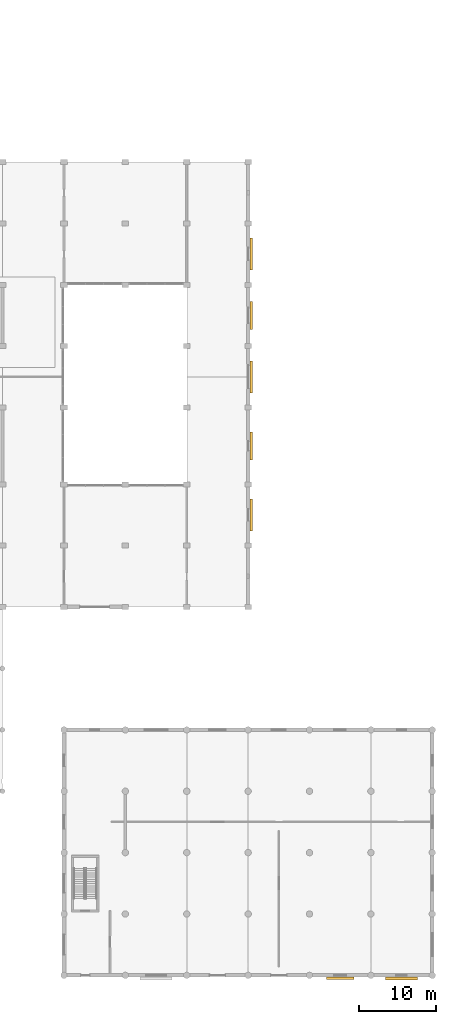
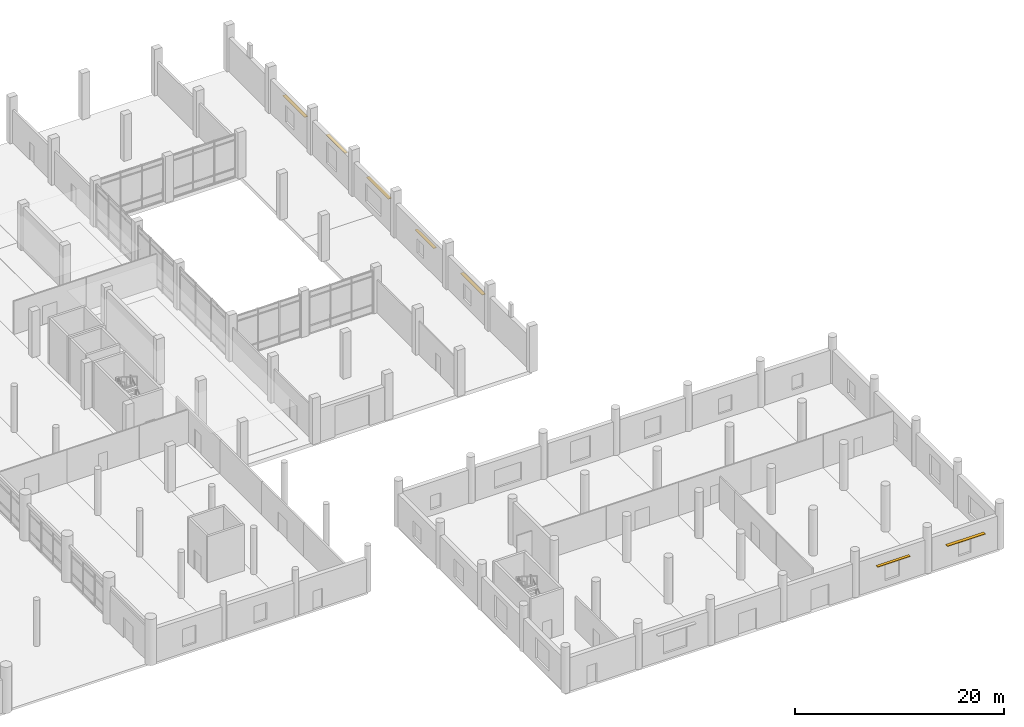
# One storey, part 42 of 42: 7 shading devices.
"""IFC4 building model written with IfcOpenShell, lengths in metres."""

from ifc_helpers import new_model, si_unit, direction, frame, origin, origin_2d, place, context, subcontext, project, spatial, rectangle, extrude, material, type_object, element, save


model = new_model("IFC4")

# Units and contexts
model_context = context("Model", 3, precision=1e-05, world=origin(), true_north=direction((0.0, 1.0)))
body_context = subcontext(model_context, "Body", "Model", "MODEL_VIEW")
ifc_project = project(units=[si_unit("LENGTHUNIT", "METRE"), si_unit("AREAUNIT", "SQUARE_METRE"), si_unit("VOLUMEUNIT", "CUBIC_METRE"), si_unit("PLANEANGLEUNIT", "RADIAN"), si_unit("MASSUNIT", "GRAM", prefix="KILO")], contexts=[model_context])

# Site, building, storey
site_placement = place(None, origin())
site = spatial("IfcSite", under=ifc_project, at=site_placement, CompositionType="ELEMENT")
building_placement = place(site_placement, origin())
building = spatial("IfcBuilding", under=site, at=building_placement, Name="Pecanmere Concourse Central Library", CompositionType="ELEMENT")
storey_placement = place(building_placement, origin())
storey = spatial("IfcBuildingStorey", under=building, at=storey_placement, Name="L01", CompositionType="ELEMENT", Elevation=0.0)

# Shading devices
ifc_material_1 = material(Name="Architectural anodized bronze")
shading_device_type_1 = type_object("IfcShadingDeviceType", Name="SHD_BRISE_1", PredefinedType="AWNING", material=ifc_material_1)
for number, where, z_axis, x_axis, name in (
    (1, (172.0, -0.419921875, 2.550048828125), (0.0, 0.0, 1.0), (1.0, 0.0, 0.0), "Bronze Solar Brise-Soleil L01-010"),
    (2, (152.39990234375, 60.0, 2.64990234375), (0.0, 0.0, 1.0), (0.0, 1.0, 0.0), "Bronze Solar Brise-Soleil L01-042"),
    (3, (152.39990234375, 78.0, 2.949951171875), (0.0, 0.0, 1.0), (0.0, 1.0, 0.0), "Bronze Solar Brise-Soleil L01-044"),
    (4, (152.39990234375, 94.0, 2.800048828125), (0.0, 0.0, 1.0), (0.0, 1.0, 0.0), "Bronze Solar Brise-Soleil L01-046"),
):
    element("IfcShadingDevice", number, at=place(storey_placement, frame(where, z_axis=z_axis, x_axis=x_axis)), inside=storey, type_object=shading_device_type_1, Name=name, PredefinedType="AWNING", context=body_context, shape_type="SweptSolid", body=[
        extrude(rectangle(XDim=4.199951171875, YDim=0.360107421875, at=origin_2d()), origin(), (0.0, 0.0, 1.0), 0.06005859375),
    ])
ifc_material_2 = material(Name="Architectural anodized bronze")
shading_device_type_2 = type_object("IfcShadingDeviceType", Name="SHD_BRISE_2", PredefinedType="AWNING", material=ifc_material_2)
for number, where, z_axis, x_axis, name in (
    (5, (164.0, -0.39990234375, 2.802734375), (0.0, 0.0, 1.0), (1.0, 0.0, 0.0), "Bronze Solar Brise-Soleil L01-009"),
    (6, (152.3798828125, 69.0, 2.45263671875), (0.0, 0.0, 1.0), (0.0, 1.0, 0.0), "Bronze Solar Brise-Soleil L01-043"),
    (7, (152.3798828125, 86.0, 3.25244140625), (0.0, 0.0, 1.0), (0.0, 1.0, 0.0), "Bronze Solar Brise-Soleil L01-045"),
):
    element("IfcShadingDevice", number, at=place(storey_placement, frame(where, z_axis=z_axis, x_axis=x_axis)), inside=storey, type_object=shading_device_type_2, Name=name, PredefinedType="AWNING", context=body_context, shape_type="SweptSolid", body=[
        extrude(rectangle(XDim=3.60009765625, YDim=0.320068359375, at=origin_2d()), origin(), (0.0, 0.0, 1.0), 0.054931640625),
    ])

save(model, "model.ifc")
